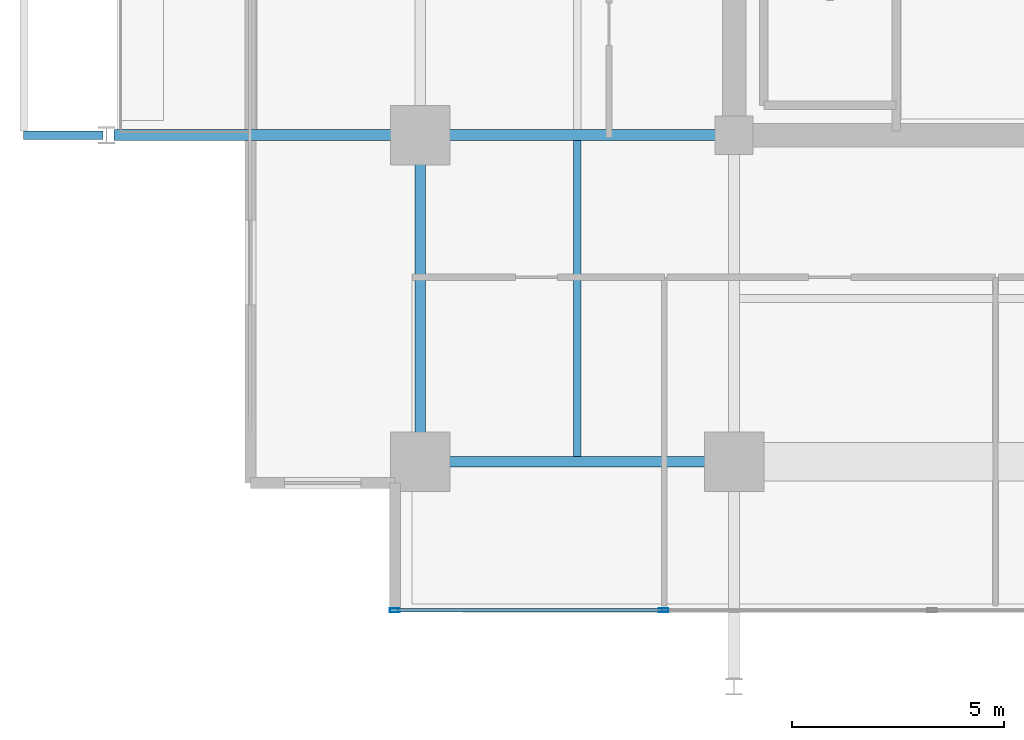
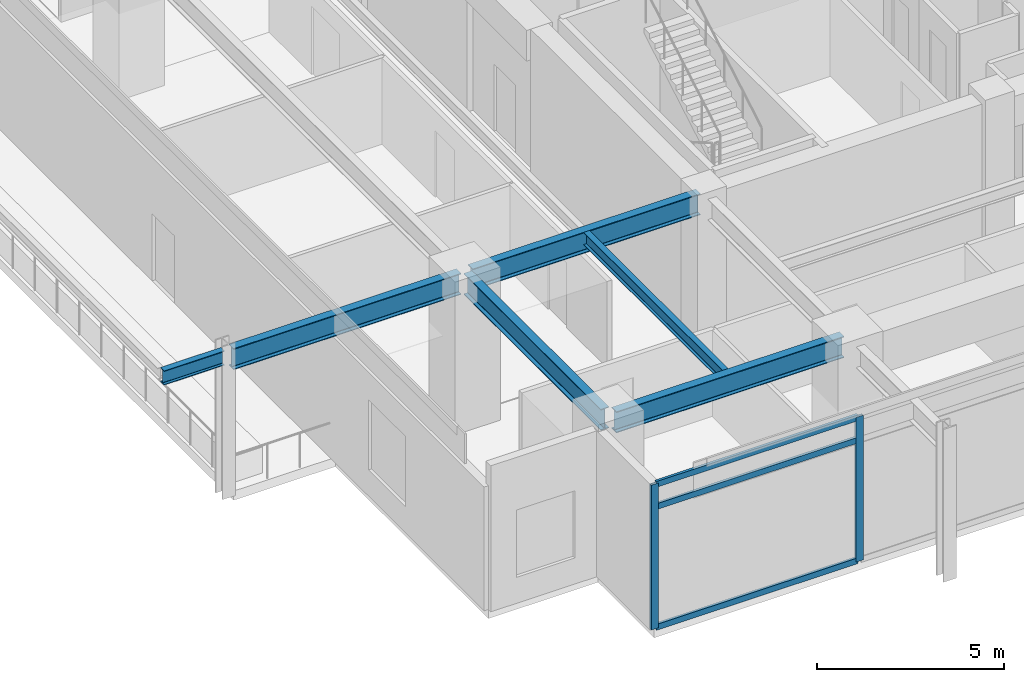
# One storey, part 2 of 19: 6 beams, 5 members, 1 element without a shape of its own.
"""IFC4 building model written with IfcOpenShell, lengths in metres."""

from ifc_helpers import new_model, si_unit, direction, frame, origin, origin_2d, place, context, subcontext, project, spatial, hollow_rectangle, i_section, extrude, material, material_profile, profile_set, type_object, element, aggregate, save


model = new_model("IFC4")

# Units and contexts
model_context = context("Model", 3, precision=1e-05, world=origin(), true_north=direction((0.0, 1.0)))
body_context = subcontext(model_context, "Body", "Model", "MODEL_VIEW")
ifc_project = project(units=[si_unit("LENGTHUNIT", "METRE"), si_unit("AREAUNIT", "SQUARE_METRE"), si_unit("VOLUMEUNIT", "CUBIC_METRE"), si_unit("PLANEANGLEUNIT", "RADIAN"), si_unit("MASSUNIT", "GRAM", prefix="KILO")], contexts=[model_context])

# Site, building, storey
site_placement = place(None, origin())
site = spatial("IfcSite", under=ifc_project, at=site_placement, CompositionType="ELEMENT")
building_placement = place(site_placement, origin())
building = spatial("IfcBuilding", under=site, at=building_placement, Name="Kovane Verandah Tower", CompositionType="ELEMENT")
storey_placement = place(building_placement, frame((0.0, 0.0, 200.199951171875)))
storey = spatial("IfcBuildingStorey", under=building, at=storey_placement, Name="L46", CompositionType="ELEMENT", Elevation=200.199951171875)

# Beams
ifc_material_1 = material(Name="Steel S355", Category="steel")
ifc_material_profile_1 = material_profile(ifc_material_1, i_section(OverallWidth=0.255859375, OverallDepth=0.69287109375, WebThickness=0.014404296875, FlangeThickness=0.023681640625, FilletRadius=0.01513671875, at=origin_2d()), Name="UB686x254x170")
ifc_profile_set_1 = profile_set([ifc_material_profile_1], Name="Steel S355")
beam_type_1 = type_object("IfcBeamType", Name="BM-UB686x170", PredefinedType="BEAM", material=ifc_profile_set_1)
beam_1_placement = place(storey_placement, frame((21.780029296875, 10.800048828125, 4.428466796875), z_axis=(1.0, 0.0, 0.0), x_axis=(0.0, 1.0, 0.0)))
element("IfcBeam", 1, at=beam_1_placement, inside=storey, type_object=beam_type_1, Name="L46 Primary Tower Girder G-RS1", PredefinedType="BEAM", context=body_context, shape_type="SweptSolid", body=[
    extrude(i_section(OverallWidth=0.255859375, OverallDepth=0.69287109375, WebThickness=0.014404296875, FlangeThickness=0.023681640625, FilletRadius=0.01513671875, at=origin_2d()), origin(), (0.0, 0.0, 1.0), 7.0400390625),
])
beam_2_placement = place(storey_placement, frame((21.60009765625, 10.97998046875, 4.428466796875), z_axis=(0.0, 1.0, 0.0), x_axis=(-1.0, 0.0, 0.0)))
element("IfcBeam", 2, at=beam_2_placement, inside=storey, type_object=beam_type_1, Name="L46 Primary Tower Girder G-RW1", PredefinedType="BEAM", context=body_context, shape_type="SweptSolid", body=[
    extrude(i_section(OverallWidth=0.255859375, OverallDepth=0.69287109375, WebThickness=0.014404296875, FlangeThickness=0.023681640625, FilletRadius=0.01513671875, at=origin_2d()), origin(), (0.0, 0.0, 1.0), 7.340087890625),
])
for number, where, z_axis, x_axis, name in (
    (3, (28.820068359375, 18.5, 4.428466796875), (-1.0, 0.0, 0.0), (0.0, -1.0, 0.0), "L46 Primary Tower Girder G-W1"),
    (4, (21.419921875, 18.5, 4.41357421875), (-1.0, 0.0, 0.0), (0.0, -1.0, 0.0), "L46 Primary Tower Girder G-VW1"),
):
    element("IfcBeam", number, at=place(storey_placement, frame(where, z_axis=z_axis, x_axis=x_axis)), inside=storey, type_object=beam_type_1, Name=name, PredefinedType="BEAM", context=body_context, shape_type="SweptSolid", body=[
        extrude(i_section(OverallWidth=0.255859375, OverallDepth=0.69287109375, WebThickness=0.014404296875, FlangeThickness=0.023681640625, FilletRadius=0.01513671875, at=origin_2d()), origin(), (0.0, 0.0, 1.0), 7.0400390625),
    ])

# Curtain wall, members
ifc_material_2 = material(Name="Champagne Anodised Aluminium Frame with Low-E Clear Laminated Glass", Category="aluminium")
curtain_wall_type = type_object("IfcCurtainWallType", Name="CW-SYS-04-WAIST", PredefinedType="NOTDEFINED", material=ifc_material_2)
curtain_wall_placement = place(storey_placement, origin())
curtain_wall = element("IfcCurtainWall", 5, at=curtain_wall_placement, inside=storey, type_object=curtain_wall_type, Name="L46 S Unitised Curtain Wall", PredefinedType="NOTDEFINED")
ifc_material_3 = material(Name="Champagne Anodised Aluminium 6063-T6", Category="aluminium")
ifc_material_profile_2 = material_profile(ifc_material_3, hollow_rectangle(XDim=0.0849609375, YDim=0.22998046875, WallThickness=0.00390625, at=origin_2d()), Name="AL85x230x4")
ifc_profile_set_2 = profile_set([ifc_material_profile_2], Name="Champagne Anodised Aluminium 6063-T6")
member_type_1 = type_object("IfcMemberType", Name="CW-MUL-85x230", PredefinedType="MULLION", material=ifc_profile_set_2)
member_1_placement = place(storey_placement, frame((21.0, 7.300048828125, 0.02001953125), z_axis=(0.0, 0.0, 1.0), x_axis=(0.0, -1.0, 0.0)))
member_1 = element("IfcMember", 6, at=member_1_placement, type_object=member_type_1, Name="L46 S Unitised Curtain Wall Mullion 1", PredefinedType="MULLION", context=body_context, shape_type="SweptSolid", body=[
    extrude(hollow_rectangle(XDim=0.0849609375, YDim=0.22998046875, WallThickness=0.00390625, at=origin_2d()), origin(), (0.0, 0.0, 1.0), 4.735107421875),
])
member_2_placement = place(storey_placement, frame((27.333251953125, 7.300048828125, 0.02001953125), z_axis=(0.0, 0.0, 1.0), x_axis=(0.0, -1.0, 0.0)))
member_2 = element("IfcMember", 7, at=member_2_placement, type_object=member_type_1, Name="L46 S Unitised Curtain Wall Mullion 2", PredefinedType="MULLION", context=body_context, shape_type="SweptSolid", body=[
    extrude(hollow_rectangle(XDim=0.0849609375, YDim=0.22998046875, WallThickness=0.00390625, at=origin_2d()), origin(), (0.0, 0.0, 1.0), 4.735107421875),
])
ifc_material_profile_3 = material_profile(ifc_material_3, hollow_rectangle(XDim=0.0849609375, YDim=0.18994140625, WallThickness=0.00390625, at=origin_2d()), Name="AL85x190x4")
ifc_profile_set_3 = profile_set([ifc_material_profile_3], Name="Champagne Anodised Aluminium 6063-T6")
member_type_2 = type_object("IfcMemberType", Name="CW-TRN-85x190", PredefinedType="USERDEFINED", material=ifc_profile_set_3)
member_3_placement = place(storey_placement, frame((21.050048828125, 7.300048828125, 0.050048828125), z_axis=(1.0, 0.0, 0.0), x_axis=(0.0, 1.0, 0.0)))
member_3 = element("IfcMember", 8, at=member_3_placement, type_object=member_type_2, Name="L46 S Unitised Curtain Wall Transom TB Bay 1", ObjectType="TRANSOM", PredefinedType="USERDEFINED", context=body_context, shape_type="SweptSolid", body=[
    extrude(hollow_rectangle(XDim=0.0849609375, YDim=0.18994140625, WallThickness=0.00390625, at=origin_2d()), origin(), (0.0, 0.0, 1.0), 6.233154296875),
])
member_4_placement = place(storey_placement, frame((21.050048828125, 7.300048828125, 3.9951171875), z_axis=(1.0, 0.0, 0.0), x_axis=(0.0, 1.0, 0.0)))
member_4 = element("IfcMember", 9, at=member_4_placement, type_object=member_type_2, Name="L46 S Unitised Curtain Wall Transom TM Bay 1", ObjectType="TRANSOM", PredefinedType="USERDEFINED", context=body_context, shape_type="SweptSolid", body=[
    extrude(hollow_rectangle(XDim=0.0849609375, YDim=0.18994140625, WallThickness=0.00390625, at=origin_2d()), origin(), (0.0, 0.0, 1.0), 6.233154296875),
])
member_5_placement = place(storey_placement, frame((21.050048828125, 7.300048828125, 4.72509765625), z_axis=(1.0, 0.0, 0.0), x_axis=(0.0, 1.0, 0.0)))
member_5 = element("IfcMember", 10, at=member_5_placement, type_object=member_type_2, Name="L46 S Unitised Curtain Wall Transom TT Bay 1", ObjectType="TRANSOM", PredefinedType="USERDEFINED", context=body_context, shape_type="SweptSolid", body=[
    extrude(hollow_rectangle(XDim=0.0849609375, YDim=0.18994140625, WallThickness=0.00390625, at=origin_2d()), origin(), (0.0, 0.0, 1.0), 6.233154296875),
])
aggregate(curtain_wall, [member_1, member_2, member_3, member_4, member_5])

# Beams
ifc_material_profile_4 = material_profile(ifc_material_1, i_section(OverallWidth=0.179443359375, OverallDepth=0.412841796875, WebThickness=0.009521484375, FlangeThickness=0.01611328125, FilletRadius=0.01025390625, at=origin_2d()), Name="UB406x178x74")
ifc_profile_set_4 = profile_set([ifc_material_profile_4], Name="Steel S355")
beam_type_2 = type_object("IfcBeamType", Name="JST-UB406x74", PredefinedType="JOIST", material=ifc_profile_set_4)
beam_3_placement = place(storey_placement, frame((25.300048828125, 10.92578125, 4.568603515625), z_axis=(0.0, 1.0, 0.0), x_axis=(-1.0, 0.0, 0.0)))
element("IfcBeam", 11, at=beam_3_placement, inside=storey, type_object=beam_type_2, Name="L46 Secondary Composite Joist J-SW1", PredefinedType="JOIST", context=body_context, shape_type="SweptSolid", body=[
    extrude(i_section(OverallWidth=0.179443359375, OverallDepth=0.412841796875, WebThickness=0.009521484375, FlangeThickness=0.01611328125, FilletRadius=0.01025390625, at=origin_2d()), origin(), (0.0, 0.0, 1.0), 7.4482421875),
])
ifc_material_profile_5 = material_profile(ifc_material_1, i_section(OverallWidth=0.19287109375, OverallDepth=0.46728515625, WebThickness=0.011474609375, FlangeThickness=0.01953125, FilletRadius=0.01025390625, at=origin_2d()), Name="UB457x191x98")
ifc_profile_set_5 = profile_set([ifc_material_profile_5], Name="Steel S355")
beam_type_3 = type_object("IfcBeamType", Name="JST-UB457x98", PredefinedType="JOIST", material=ifc_profile_set_5)
beam_4_placement = place(storey_placement, frame((14.1201171875, 18.5, 4.5263671875), z_axis=(-1.0, 0.0, 0.0), x_axis=(0.0, -1.0, 0.0)))
element("IfcBeam", 12, at=beam_4_placement, inside=storey, type_object=beam_type_3, Name="L46 West Planter Girder 1", PredefinedType="JOIST", context=body_context, shape_type="SweptSolid", body=[
    extrude(i_section(OverallWidth=0.19287109375, OverallDepth=0.46728515625, WebThickness=0.011474609375, FlangeThickness=0.01953125, FilletRadius=0.01025390625, at=origin_2d()), origin(), (0.0, 0.0, 1.0), 1.8701171875),
])

save(model, "model.ifc")
